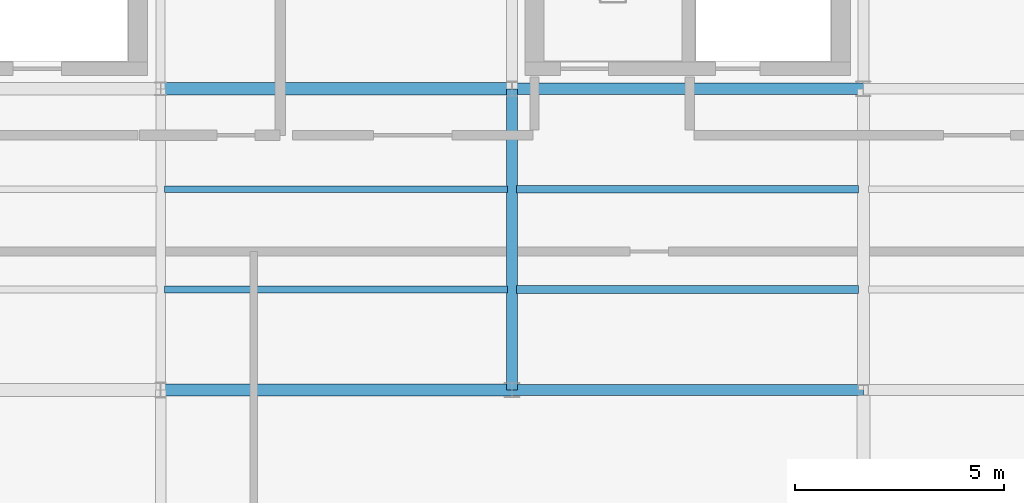
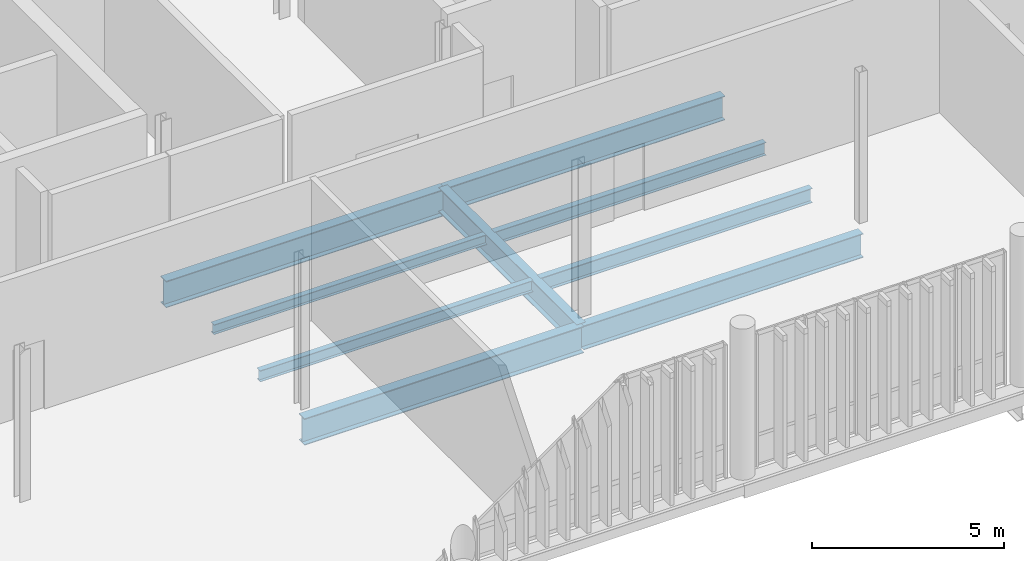
# One storey, part 12 of 86: 9 beams.
"""IFC4 building model written with IfcOpenShell, lengths in metres."""

from ifc_helpers import new_model, si_unit, direction, frame, origin_with_axes, origin_2d_with_axis, place, context, subcontext, project, spatial, i_section, extrude, material, material_profile, profile_set, type_object, element, save


model = new_model("IFC4")

# Units and contexts
model_context = context("Model", 3, precision=1e-05, world=origin_with_axes(), true_north=direction((0.0, 1.0)))
body_context = subcontext(model_context, "Body", "Model", "MODEL_VIEW")
ifc_project = project(units=[si_unit("LENGTHUNIT", "METRE"), si_unit("AREAUNIT", "SQUARE_METRE"), si_unit("VOLUMEUNIT", "CUBIC_METRE"), si_unit("PLANEANGLEUNIT", "RADIAN"), si_unit("MASSUNIT", "GRAM", prefix="KILO"), si_unit("THERMODYNAMICTEMPERATUREUNIT", "KELVIN")], contexts=[model_context])

# Site, building, storey
site_placement = place(None, origin_with_axes())
site = spatial("IfcSite", under=ifc_project, at=site_placement, CompositionType="ELEMENT")
building_placement = place(site_placement, origin_with_axes())
building = spatial("IfcBuilding", under=site, at=building_placement, Name="Montbau Bow Law Courts", CompositionType="ELEMENT")
storey_placement = place(building_placement, frame((0.0, 0.0, 29.7), z_axis=(0.0, 0.0, 1.0), x_axis=(1.0, 0.0, 0.0)))
storey = spatial("IfcBuildingStorey", under=building, at=storey_placement, Name="L06", CompositionType="ELEMENT", Elevation=29.7)

# Beams
ifc_material = material(Name="Steel CSA G40.21 Grade 350W (350 MPa)", Category="steel")
ifc_material_profile_1 = material_profile(ifc_material, i_section(OverallWidth=0.293, OverallDepth=0.846, WebThickness=0.0154, FlangeThickness=0.0244, at=origin_2d_with_axis()), Name="W840X210", Category="Main", Priority=0)
ifc_profile_set_1 = profile_set([ifc_material_profile_1], Name="Steel CSA G40.21 Grade 350W (350 MPa)")
beam_type_1 = type_object("IfcBeamType", Name="B-FLR-02", PredefinedType="BEAM", material=ifc_profile_set_1)
for number, where, z_axis, x_axis, name in (
    (1, (22.2, 39.0, 28.937), (1.0, 0.0, 0.0), (0.0, 1.0, 0.0), "BM-L06-S0673:bm2_0676"),
    (2, (22.2, 46.2, 28.937), (1.0, 0.0, 0.0), (0.0, 1.0, 0.0), "BM-L06-S0678:bm2_0681"),
):
    element("IfcBeam", number, at=place(None, frame(where, z_axis=z_axis, x_axis=x_axis)), inside=storey, type_object=beam_type_1, Name=name, PredefinedType="BEAM", context=body_context, shape_type="SweptSolid", body=[
        extrude(i_section(OverallWidth=0.293, OverallDepth=0.846, WebThickness=0.0154, FlangeThickness=0.0244, at=origin_2d_with_axis()), origin_with_axes(), (0.0, 0.0, 1.0), 8.4),
    ])
ifc_material_profile_2 = material_profile(ifc_material, i_section(OverallWidth=0.267, OverallDepth=0.766, WebThickness=0.0149, FlangeThickness=0.0236, at=origin_2d_with_axis()), Name="W760X185", Category="Main", Priority=0)
ifc_profile_set_2 = profile_set([ifc_material_profile_2], Name="Steel CSA G40.21 Grade 350W (350 MPa)")
beam_type_2 = type_object("IfcBeamType", Name="B-FLR-03", PredefinedType="BEAM", material=ifc_profile_set_2)
for number, where, z_axis, x_axis, name in (
    (3, (30.6, 39.0, 28.977), (1.0, 0.0, 0.0), (0.0, 1.0, 0.0), "BM-L06-S0674:bm2_0677"),
    (4, (30.6, 46.2, 28.977), (1.0, 0.0, 0.0), (0.0, 1.0, 0.0), "BM-L06-S0679:bm2_0682"),
):
    element("IfcBeam", number, at=place(None, frame(where, z_axis=z_axis, x_axis=x_axis)), inside=storey, type_object=beam_type_2, Name=name, PredefinedType="BEAM", context=body_context, shape_type="SweptSolid", body=[
        extrude(i_section(OverallWidth=0.267, OverallDepth=0.766, WebThickness=0.0149, FlangeThickness=0.0236, at=origin_2d_with_axis()), origin_with_axes(), (0.0, 0.0, 1.0), 8.4),
    ])
beam_1_placement = place(None, frame((30.6, 39.0, 28.977), z_axis=(0.0, 1.0, 0.0), x_axis=(-1.0, 0.0, 0.0)))
element("IfcBeam", 5, at=beam_1_placement, inside=storey, type_object=beam_type_2, Name="BM-L06-S0702:bm2_0705", PredefinedType="BEAM", context=body_context, shape_type="SweptSolid", body=[
    extrude(i_section(OverallWidth=0.267, OverallDepth=0.766, WebThickness=0.0149, FlangeThickness=0.0236, at=origin_2d_with_axis()), origin_with_axes(), (0.0, 0.0, 1.0), 7.2),
])
ifc_material_profile_3 = material_profile(ifc_material, i_section(OverallWidth=0.191, OverallDepth=0.46, WebThickness=0.0099, FlangeThickness=0.016, at=origin_2d_with_axis()), Name="W460X82", Category="Main", Priority=0)
ifc_profile_set_3 = profile_set([ifc_material_profile_3], Name="Steel CSA G40.21 Grade 350W (350 MPa)")
beam_type_3 = type_object("IfcBeamType", Name="B-JST-01", PredefinedType="JOIST", material=ifc_profile_set_3)
beam_2_placement = place(None, frame((30.71, 41.4, 29.13), z_axis=(1.0, 0.0, 0.0), x_axis=(0.0, 1.0, 0.0)))
element("IfcBeam", 6, at=beam_2_placement, inside=storey, type_object=beam_type_3, Name="JST-L06-S0348:jst2_0348", PredefinedType="JOIST", context=body_context, shape_type="SweptSolid", body=[
    extrude(i_section(OverallWidth=0.191, OverallDepth=0.46, WebThickness=0.0099, FlangeThickness=0.016, at=origin_2d_with_axis()), origin_with_axes(), (0.0, 0.0, 1.0), 8.167),
])
ifc_material_profile_4 = material_profile(ifc_material, i_section(OverallWidth=0.179, OverallDepth=0.41, WebThickness=0.0088, FlangeThickness=0.0144, at=origin_2d_with_axis()), Name="W410X67", Category="Main", Priority=0)
ifc_profile_set_4 = profile_set([ifc_material_profile_4], Name="Steel CSA G40.21 Grade 350W (350 MPa)")
beam_type_4 = type_object("IfcBeamType", Name="B-JST-02", PredefinedType="JOIST", material=ifc_profile_set_4)
beam_3_placement = place(None, frame((30.71, 43.8, 29.155), z_axis=(1.0, 0.0, 0.0), x_axis=(0.0, 1.0, 0.0)))
element("IfcBeam", 7, at=beam_3_placement, inside=storey, type_object=beam_type_4, Name="JST-L06-S0349:jst2_0349", PredefinedType="JOIST", context=body_context, shape_type="SweptSolid", body=[
    extrude(i_section(OverallWidth=0.179, OverallDepth=0.41, WebThickness=0.0088, FlangeThickness=0.0144, at=origin_2d_with_axis()), origin_with_axes(), (0.0, 0.0, 1.0), 8.167),
])
ifc_material_profile_5 = material_profile(ifc_material, i_section(OverallWidth=0.172, OverallDepth=0.358, WebThickness=0.0079, FlangeThickness=0.0131, at=origin_2d_with_axis()), Name="W360X57", Category="Main", Priority=0)
ifc_profile_set_5 = profile_set([ifc_material_profile_5], Name="Steel CSA G40.21 Grade 350W (350 MPa)")
beam_type_5 = type_object("IfcBeamType", Name="B-JST-03", PredefinedType="JOIST", material=ifc_profile_set_5)
beam_4_placement = place(None, frame((22.29, 41.4, 29.181), z_axis=(1.0, 0.0, 0.0), x_axis=(0.0, 1.0, 0.0)))
element("IfcBeam", 8, at=beam_4_placement, inside=storey, type_object=beam_type_5, Name="JST-L06-S0342:jst2_0342", PredefinedType="JOIST", context=body_context, shape_type="SweptSolid", body=[
    extrude(i_section(OverallWidth=0.172, OverallDepth=0.358, WebThickness=0.0079, FlangeThickness=0.0131, at=origin_2d_with_axis()), origin_with_axes(), (0.0, 0.0, 1.0), 8.201),
])
ifc_material_profile_6 = material_profile(ifc_material, i_section(OverallWidth=0.166, OverallDepth=0.313, WebThickness=0.0066, FlangeThickness=0.0112, at=origin_2d_with_axis()), Name="W310X45", Category="Main", Priority=0)
ifc_profile_set_6 = profile_set([ifc_material_profile_6], Name="Steel CSA G40.21 Grade 350W (350 MPa)")
beam_type_6 = type_object("IfcBeamType", Name="B-JST-04", PredefinedType="JOIST", material=ifc_profile_set_6)
beam_5_placement = place(None, frame((22.29, 43.8, 29.203), z_axis=(1.0, 0.0, 0.0), x_axis=(0.0, 1.0, 0.0)))
element("IfcBeam", 9, at=beam_5_placement, inside=storey, type_object=beam_type_6, Name="JST-L06-S0343:jst2_0343", PredefinedType="JOIST", context=body_context, shape_type="SweptSolid", body=[
    extrude(i_section(OverallWidth=0.166, OverallDepth=0.313, WebThickness=0.0066, FlangeThickness=0.0112, at=origin_2d_with_axis()), origin_with_axes(), (0.0, 0.0, 1.0), 8.201),
])

save(model, "model.ifc")
